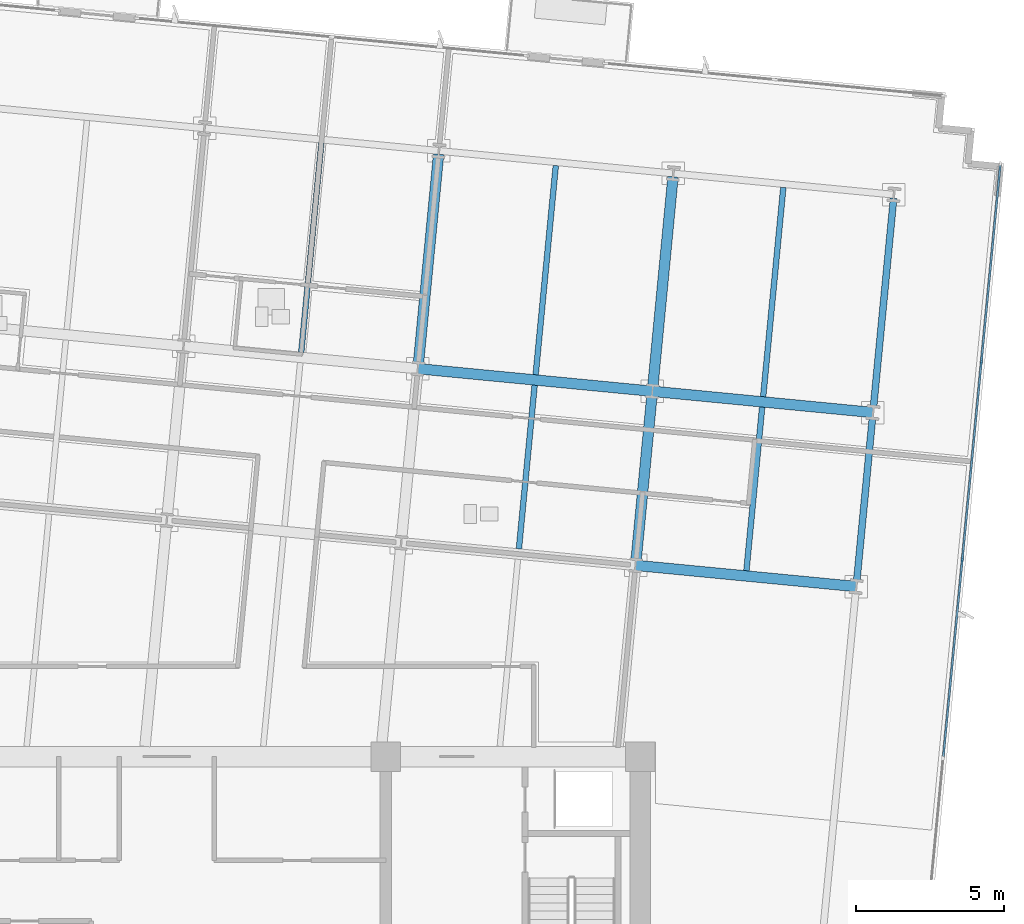
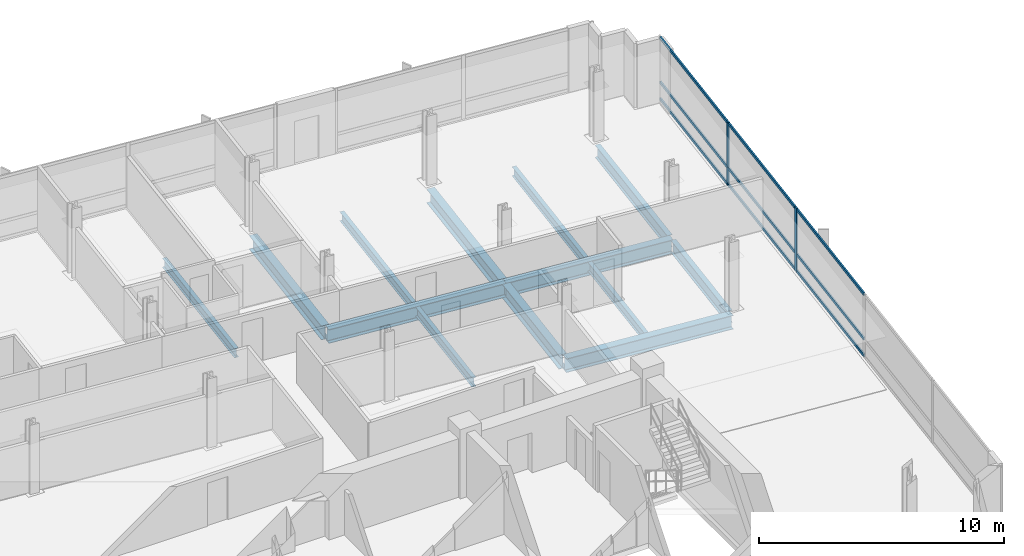
# One storey, part 6 of 17: 13 beams, 11 members, 1 element without a shape of its own.
"""IFC4 building model written with IfcOpenShell, lengths in metres."""

from ifc_helpers import new_model, si_unit, direction, frame, origin, origin_2d, place, context, subcontext, project, spatial, rectangle, i_section, extrude, material, material_profile, profile_set, type_object, element, aggregate, save


model = new_model("IFC4")

# Units and contexts
model_context = context("Model", 3, precision=1e-05, world=origin(), true_north=direction((0.0, 1.0)))
body_context = subcontext(model_context, "Body", "Model", "MODEL_VIEW")
ifc_project = project(units=[si_unit("LENGTHUNIT", "METRE"), si_unit("AREAUNIT", "SQUARE_METRE"), si_unit("VOLUMEUNIT", "CUBIC_METRE"), si_unit("PLANEANGLEUNIT", "RADIAN"), si_unit("MASSUNIT", "GRAM", prefix="KILO")], contexts=[model_context])

# Site, building, storey
site_placement = place(None, origin())
site = spatial("IfcSite", under=ifc_project, at=site_placement, CompositionType="ELEMENT")
building_placement = place(site_placement, origin())
building = spatial("IfcBuilding", under=site, at=building_placement, Name="Solmavex Isthmus Hotel", CompositionType="ELEMENT")
storey_placement = place(building_placement, frame((0.0, 0.0, 153.14990234375)))
storey = spatial("IfcBuildingStorey", under=building, at=storey_placement, Name="L41", CompositionType="ELEMENT", Elevation=153.14990234375)

# Beams
ifc_material_1 = material(Name="Steel ASTM A992 Grade 50", Category="steel")
ifc_material_profile_1 = material_profile(ifc_material_1, i_section(OverallWidth=0.354736328125, OverallDepth=0.695556640625, WebThickness=0.015380859375, FlangeThickness=0.02490234375, FilletRadius=0.017822265625, at=origin_2d()), Name="W27X146")
ifc_profile_set_1 = profile_set([ifc_material_profile_1], Name="Steel ASTM A992 Grade 50")
beam_type_1 = type_object("IfcBeamType", Name="BM-BG-W27X146", PredefinedType="BEAM", material=ifc_profile_set_1)
beam_1_placement = place(storey_placement, frame((15.840087890625, 3.96533203125, -0.607666015625), z_axis=(0.995394980007, -0.095858404835, 0.0), x_axis=(0.095858404835, 0.995394980007, 0.0)))
element("IfcBeam", 1, at=beam_1_placement, inside=storey, type_object=beam_type_1, Name="Floor Girder L41-UG08", PredefinedType="BEAM", context=body_context, shape_type="SweptSolid", body=[
    extrude(i_section(OverallWidth=0.354736328125, OverallDepth=0.695556640625, WebThickness=0.015380859375, FlangeThickness=0.02490234375, FilletRadius=0.017822265625, at=origin_2d()), origin(), (0.0, 0.0, 1.0), 7.48779296875),
])
beam_2_placement = place(storey_placement, frame((8.48681640625, 10.608642578125, -0.607666015625), z_axis=(0.995394512348, -0.095863260885, 0.0), x_axis=(0.095863260885, 0.995394512348, 0.0)))
element("IfcBeam", 2, at=beam_2_placement, inside=storey, type_object=beam_type_1, Name="Floor Girder L41-UG13", PredefinedType="BEAM", context=body_context, shape_type="SweptSolid", body=[
    extrude(i_section(OverallWidth=0.354736328125, OverallDepth=0.695556640625, WebThickness=0.015380859375, FlangeThickness=0.02490234375, FilletRadius=0.017822265625, at=origin_2d()), origin(), (0.0, 0.0, 1.0), 7.9560546875),
])
beam_3_placement = place(storey_placement, frame((16.40625, 9.845947265625, -0.607666015625), z_axis=(0.995398389938, -0.095822989454, 0.0), x_axis=(0.095822989454, 0.995398389938, 0.0)))
element("IfcBeam", 3, at=beam_3_placement, inside=storey, type_object=beam_type_1, Name="Floor Girder L41-UG14", PredefinedType="BEAM", context=body_context, shape_type="SweptSolid", body=[
    extrude(i_section(OverallWidth=0.354736328125, OverallDepth=0.695556640625, WebThickness=0.015380859375, FlangeThickness=0.02490234375, FilletRadius=0.017822265625, at=origin_2d()), origin(), (0.0, 0.0, 1.0), 7.488037109375),
])
beam_4_placement = place(storey_placement, frame((8.50390625, 10.78515625, -0.607666015625), z_axis=(0.095842805175, 0.99539648216, 0.0), x_axis=(-0.99539648216, 0.095842805175, 0.0)))
element("IfcBeam", 4, at=beam_4_placement, inside=storey, type_object=beam_type_1, Name="Floor Beam L41-VG35", PredefinedType="BEAM", context=body_context, shape_type="SweptSolid", body=[
    extrude(i_section(OverallWidth=0.354736328125, OverallDepth=0.695556640625, WebThickness=0.015380859375, FlangeThickness=0.02490234375, FilletRadius=0.017822265625, at=origin_2d()), origin(), (0.0, 0.0, 1.0), 7.099365234375),
])
beam_5_placement = place(storey_placement, frame((15.85693359375, 4.141845703125, -0.607666015625), z_axis=(0.095842252862, 0.99539653534, 0.0), x_axis=(-0.99539653534, 0.095842252862, 0.0)))
element("IfcBeam", 5, at=beam_5_placement, inside=storey, type_object=beam_type_1, Name="Floor Beam L41-VG37", PredefinedType="BEAM", context=body_context, shape_type="SweptSolid", body=[
    extrude(i_section(OverallWidth=0.354736328125, OverallDepth=0.695556640625, WebThickness=0.015380859375, FlangeThickness=0.02490234375, FilletRadius=0.017822265625, at=origin_2d()), origin(), (0.0, 0.0, 1.0), 5.55322265625),
])
beam_6_placement = place(storey_placement, frame((16.42333984375, 10.022705078125, -0.607666015625), z_axis=(0.095842805175, 0.99539648216, 0.0), x_axis=(-0.99539648216, 0.095842805175, 0.0)))
element("IfcBeam", 6, at=beam_6_placement, inside=storey, type_object=beam_type_1, Name="Floor Beam L41-VG38", PredefinedType="BEAM", context=body_context, shape_type="SweptSolid", body=[
    extrude(i_section(OverallWidth=0.354736328125, OverallDepth=0.695556640625, WebThickness=0.015380859375, FlangeThickness=0.02490234375, FilletRadius=0.017822265625, at=origin_2d()), origin(), (0.0, 0.0, 1.0), 7.099365234375),
])
ifc_material_profile_2 = material_profile(ifc_material_1, i_section(OverallWidth=0.1904296875, OverallDepth=0.456787109375, WebThickness=0.009033203125, FlangeThickness=0.014404296875, FilletRadius=0.0126953125, at=origin_2d()), Name="W18X50")
ifc_profile_set_2 = profile_set([ifc_material_profile_2], Name="Steel ASTM A992 Grade 50")
beam_type_2 = type_object("IfcBeamType", Name="BM-BJ-W18X50", PredefinedType="JOIST", material=ifc_profile_set_2)
beam_7_placement = place(storey_placement, frame((4.544189453125, 11.16650390625, -0.48828125), z_axis=(0.095842805175, 0.99539648216, 0.0), x_axis=(-0.99539648216, 0.095842805175, 0.0)))
element("IfcBeam", 7, at=beam_7_placement, inside=storey, type_object=beam_type_2, Name="Secondary Floor Joist L41-J12", PredefinedType="JOIST", context=body_context, shape_type="SweptSolid", body=[
    extrude(i_section(OverallWidth=0.1904296875, OverallDepth=0.456787109375, WebThickness=0.009033203125, FlangeThickness=0.014404296875, FilletRadius=0.0126953125, at=origin_2d()), origin(), (0.0, 0.0, 1.0), 7.099365234375),
])
beam_8_placement = place(storey_placement, frame((11.8974609375, 4.523193359375, -0.48828125), z_axis=(0.095842252862, 0.99539653534, 0.0), x_axis=(-0.99539653534, 0.095842252862, 0.0)))
element("IfcBeam", 8, at=beam_8_placement, inside=storey, type_object=beam_type_2, Name="Secondary Floor Joist L41-J14", PredefinedType="JOIST", context=body_context, shape_type="SweptSolid", body=[
    extrude(i_section(OverallWidth=0.1904296875, OverallDepth=0.456787109375, WebThickness=0.009033203125, FlangeThickness=0.014404296875, FilletRadius=0.0126953125, at=origin_2d()), origin(), (0.0, 0.0, 1.0), 5.55322265625),
])
beam_9_placement = place(storey_placement, frame((12.463623046875, 10.40380859375, -0.48828125), z_axis=(0.095839524498, 0.995396798038, 0.0), x_axis=(-0.995396798038, 0.095839524498, 0.0)))
element("IfcBeam", 9, at=beam_9_placement, inside=storey, type_object=beam_type_2, Name="Secondary Floor Joist L41-J15", PredefinedType="JOIST", context=body_context, shape_type="SweptSolid", body=[
    extrude(i_section(OverallWidth=0.1904296875, OverallDepth=0.456787109375, WebThickness=0.009033203125, FlangeThickness=0.014404296875, FilletRadius=0.0126953125, at=origin_2d()), origin(), (0.0, 0.0, 1.0), 7.099609375),
])
beam_10_placement = place(storey_placement, frame((19.583740234375, 3.782958984375, -0.48828125), z_axis=(0.095842252862, 0.99539653534, 0.0), x_axis=(-0.99539653534, 0.095842252862, 0.0)))
element("IfcBeam", 10, at=beam_10_placement, inside=storey, type_object=beam_type_2, Name="Secondary Floor Joist L41-J16", PredefinedType="JOIST", context=body_context, shape_type="SweptSolid", body=[
    extrude(i_section(OverallWidth=0.1904296875, OverallDepth=0.456787109375, WebThickness=0.009033203125, FlangeThickness=0.014404296875, FilletRadius=0.0126953125, at=origin_2d()), origin(), (0.0, 0.0, 1.0), 5.55322265625),
])
beam_11_placement = place(storey_placement, frame((20.150146484375, 9.663818359375, -0.48828125), z_axis=(0.095842805175, 0.99539648216, 0.0), x_axis=(-0.99539648216, 0.095842805175, 0.0)))
element("IfcBeam", 11, at=beam_11_placement, inside=storey, type_object=beam_type_2, Name="Secondary Floor Joist L41-J17", PredefinedType="JOIST", context=body_context, shape_type="SweptSolid", body=[
    extrude(i_section(OverallWidth=0.1904296875, OverallDepth=0.456787109375, WebThickness=0.009033203125, FlangeThickness=0.014404296875, FilletRadius=0.0126953125, at=origin_2d()), origin(), (0.0, 0.0, 1.0), 7.099365234375),
])
ifc_material_profile_3 = material_profile(ifc_material_1, i_section(OverallWidth=0.230224609375, OverallDepth=0.617431640625, WebThickness=0.01318359375, FlangeThickness=0.022216796875, FilletRadius=0.01513671875, at=origin_2d()), Name="W24X94")
ifc_profile_set_3 = profile_set([ifc_material_profile_3], Name="Steel ASTM A992 Grade 50")
beam_type_3 = type_object("IfcBeamType", Name="BM-SP-W24X94", PredefinedType="SPANDREL", material=ifc_profile_set_3)
beam_12_placement = place(storey_placement, frame((23.310546875, 3.424072265625, -0.568603515625), z_axis=(0.095842252862, 0.99539653534, 0.0), x_axis=(-0.99539653534, 0.095842252862, 0.0)))
element("IfcBeam", 12, at=beam_12_placement, inside=storey, type_object=beam_type_3, Name="Floor Beam L41-VG40", PredefinedType="SPANDREL", context=body_context, shape_type="SweptSolid", body=[
    extrude(i_section(OverallWidth=0.230224609375, OverallDepth=0.617431640625, WebThickness=0.01318359375, FlangeThickness=0.022216796875, FilletRadius=0.01513671875, at=origin_2d()), origin(), (0.0, 0.0, 1.0), 5.55322265625),
])
beam_13_placement = place(storey_placement, frame((23.876708984375, 9.304931640625, -0.568603515625), z_axis=(0.09587687835, 0.9953932008, 0.0), x_axis=(-0.9953932008, 0.09587687835, 0.0)))
element("IfcBeam", 13, at=beam_13_placement, inside=storey, type_object=beam_type_3, Name="Floor Beam L41-VG41", PredefinedType="SPANDREL", context=body_context, shape_type="SweptSolid", body=[
    extrude(i_section(OverallWidth=0.230224609375, OverallDepth=0.617431640625, WebThickness=0.01318359375, FlangeThickness=0.022216796875, FilletRadius=0.01513671875, at=origin_2d()), origin(), (0.0, 0.0, 1.0), 7.099365234375),
])

# Curtain wall, members
ifc_material_2 = material(Name="Aluminium alloy 6063-T6", Category="aluminium")
curtain_wall_type = type_object("IfcCurtainWallType", Name="CW-SYS-03", PredefinedType="NOTDEFINED", material=ifc_material_2)
curtain_wall_placement = place(storey_placement, origin())
curtain_wall = element("IfcCurtainWall", 14, at=curtain_wall_placement, inside=storey, type_object=curtain_wall_type, Name="Stick Curtain Wall CWL-L41-E1", PredefinedType="NOTDEFINED")
ifc_material_profile_4 = material_profile(ifc_material_2, rectangle(XDim=0.070068359375, YDim=0.179931640625, at=origin_2d()), Name="CWM-70X180")
ifc_profile_set_4 = profile_set([ifc_material_profile_4], Name="Aluminium alloy 6063-T6")
member_type_1 = type_object("IfcMemberType", Name="CW-SYS-03-MUL", PredefinedType="MULLION", material=ifc_profile_set_4)
member_1_placement = place(storey_placement, frame((26.878173828125, 4.168212890625, 0.0), z_axis=(0.0, 0.0, 1.0), x_axis=(-0.995396190038, 0.09584583902, 0.0)))
member_1 = element("IfcMember", 15, at=member_1_placement, type_object=member_type_1, Name="CW-03 mullion 4", PredefinedType="MULLION", context=body_context, shape_type="SweptSolid", body=[
    extrude(rectangle(XDim=0.070068359375, YDim=0.179931640625, at=origin_2d()), origin(), (0.0, 0.0, 1.0), 3.190185546875),
])
member_2_placement = place(storey_placement, frame((27.5224609375, 10.857177734375, 0.0), z_axis=(0.0, 0.0, 1.0), x_axis=(-0.995396190038, 0.09584583902, 0.0)))
member_2 = element("IfcMember", 16, at=member_2_placement, type_object=member_type_1, Name="CW-03 mullion 5", PredefinedType="MULLION", context=body_context, shape_type="SweptSolid", body=[
    extrude(rectangle(XDim=0.070068359375, YDim=0.179931640625, at=origin_2d()), origin(), (0.0, 0.0, 1.0), 3.190185546875),
])
ifc_material_profile_5 = material_profile(ifc_material_2, rectangle(XDim=0.070068359375, YDim=0.139892578125, at=origin_2d()), Name="CWT-70X140")
ifc_profile_set_5 = profile_set([ifc_material_profile_5], Name="Aluminium alloy 6063-T6")
member_type_2 = type_object("IfcMemberType", Name="CW-SYS-03-TRN", PredefinedType="USERDEFINED", material=ifc_profile_set_5)
member_3_placement = place(storey_placement, frame((26.237548828125, -2.486083984375, 0.070068359375), z_axis=(0.095857212138, 0.995395094865, 0.0), x_axis=(-0.995395094865, 0.095857212138, 0.0)))
member_3 = element("IfcMember", 17, at=member_3_placement, type_object=member_type_2, Name="CW-03 transom 3.1", ObjectType="TRANSOM", PredefinedType="USERDEFINED", context=body_context, shape_type="SweptSolid", body=[
    extrude(rectangle(XDim=0.070068359375, YDim=0.139892578125, at=origin_2d()), origin(), (0.0, 0.0, 1.0), 6.64990234375),
])
member_4_placement = place(storey_placement, frame((26.237548828125, -2.486083984375, 0.900146484375), z_axis=(0.095857212138, 0.995395094865, 0.0), x_axis=(-0.995395094865, 0.095857212138, 0.0)))
member_4 = element("IfcMember", 18, at=member_4_placement, type_object=member_type_2, Name="CW-03 transom 3.2", ObjectType="TRANSOM", PredefinedType="USERDEFINED", context=body_context, shape_type="SweptSolid", body=[
    extrude(rectangle(XDim=0.070068359375, YDim=0.139892578125, at=origin_2d()), origin(), (0.0, 0.0, 1.0), 6.64990234375),
])
member_5_placement = place(storey_placement, frame((26.237548828125, -2.486083984375, 3.1201171875), z_axis=(0.095857212138, 0.995395094865, 0.0), x_axis=(-0.995395094865, 0.095857212138, 0.0)))
member_5 = element("IfcMember", 19, at=member_5_placement, type_object=member_type_2, Name="CW-03 transom 3.3", ObjectType="TRANSOM", PredefinedType="USERDEFINED", context=body_context, shape_type="SweptSolid", body=[
    extrude(rectangle(XDim=0.070068359375, YDim=0.139892578125, at=origin_2d()), origin(), (0.0, 0.0, 1.0), 6.64990234375),
])
member_6_placement = place(storey_placement, frame((26.881591796875, 4.203125, 0.070068359375), z_axis=(0.095857212138, 0.995395094865, 0.0), x_axis=(-0.995395094865, 0.095857212138, 0.0)))
member_6 = element("IfcMember", 20, at=member_6_placement, type_object=member_type_2, Name="CW-03 transom 4.1", ObjectType="TRANSOM", PredefinedType="USERDEFINED", context=body_context, shape_type="SweptSolid", body=[
    extrude(rectangle(XDim=0.070068359375, YDim=0.139892578125, at=origin_2d()), origin(), (0.0, 0.0, 1.0), 6.64990234375),
])
member_7_placement = place(storey_placement, frame((26.881591796875, 4.203125, 0.900146484375), z_axis=(0.095857212138, 0.995395094865, 0.0), x_axis=(-0.995395094865, 0.095857212138, 0.0)))
member_7 = element("IfcMember", 21, at=member_7_placement, type_object=member_type_2, Name="CW-03 transom 4.2", ObjectType="TRANSOM", PredefinedType="USERDEFINED", context=body_context, shape_type="SweptSolid", body=[
    extrude(rectangle(XDim=0.070068359375, YDim=0.139892578125, at=origin_2d()), origin(), (0.0, 0.0, 1.0), 6.64990234375),
])
member_8_placement = place(storey_placement, frame((26.881591796875, 4.203125, 3.1201171875), z_axis=(0.095857212138, 0.995395094865, 0.0), x_axis=(-0.995395094865, 0.095857212138, 0.0)))
member_8 = element("IfcMember", 22, at=member_8_placement, type_object=member_type_2, Name="CW-03 transom 4.3", ObjectType="TRANSOM", PredefinedType="USERDEFINED", context=body_context, shape_type="SweptSolid", body=[
    extrude(rectangle(XDim=0.070068359375, YDim=0.139892578125, at=origin_2d()), origin(), (0.0, 0.0, 1.0), 6.64990234375),
])
member_9_placement = place(storey_placement, frame((27.525634765625, 10.89208984375, 0.070068359375), z_axis=(0.095848837806, 0.995395901283, 0.0), x_axis=(-0.995395901283, 0.095848837806, 0.0)))
member_9 = element("IfcMember", 23, at=member_9_placement, type_object=member_type_2, Name="CW-03 transom 5.1", ObjectType="TRANSOM", PredefinedType="USERDEFINED", context=body_context, shape_type="SweptSolid", body=[
    extrude(rectangle(XDim=0.070068359375, YDim=0.139892578125, at=origin_2d()), origin(), (0.0, 0.0, 1.0), 6.614990234375),
])
member_10_placement = place(storey_placement, frame((27.525634765625, 10.89208984375, 0.900146484375), z_axis=(0.095848837806, 0.995395901283, 0.0), x_axis=(-0.995395901283, 0.095848837806, 0.0)))
member_10 = element("IfcMember", 24, at=member_10_placement, type_object=member_type_2, Name="CW-03 transom 5.2", ObjectType="TRANSOM", PredefinedType="USERDEFINED", context=body_context, shape_type="SweptSolid", body=[
    extrude(rectangle(XDim=0.070068359375, YDim=0.139892578125, at=origin_2d()), origin(), (0.0, 0.0, 1.0), 6.614990234375),
])
member_11_placement = place(storey_placement, frame((27.525634765625, 10.89208984375, 3.1201171875), z_axis=(0.095848837806, 0.995395901283, 0.0), x_axis=(-0.995395901283, 0.095848837806, 0.0)))
member_11 = element("IfcMember", 25, at=member_11_placement, type_object=member_type_2, Name="CW-03 transom 5.3", ObjectType="TRANSOM", PredefinedType="USERDEFINED", context=body_context, shape_type="SweptSolid", body=[
    extrude(rectangle(XDim=0.070068359375, YDim=0.139892578125, at=origin_2d()), origin(), (0.0, 0.0, 1.0), 6.614990234375),
])
aggregate(curtain_wall, [member_1, member_2, member_3, member_4, member_5, member_6, member_7, member_8, member_9, member_10, member_11])

save(model, "model.ifc")
